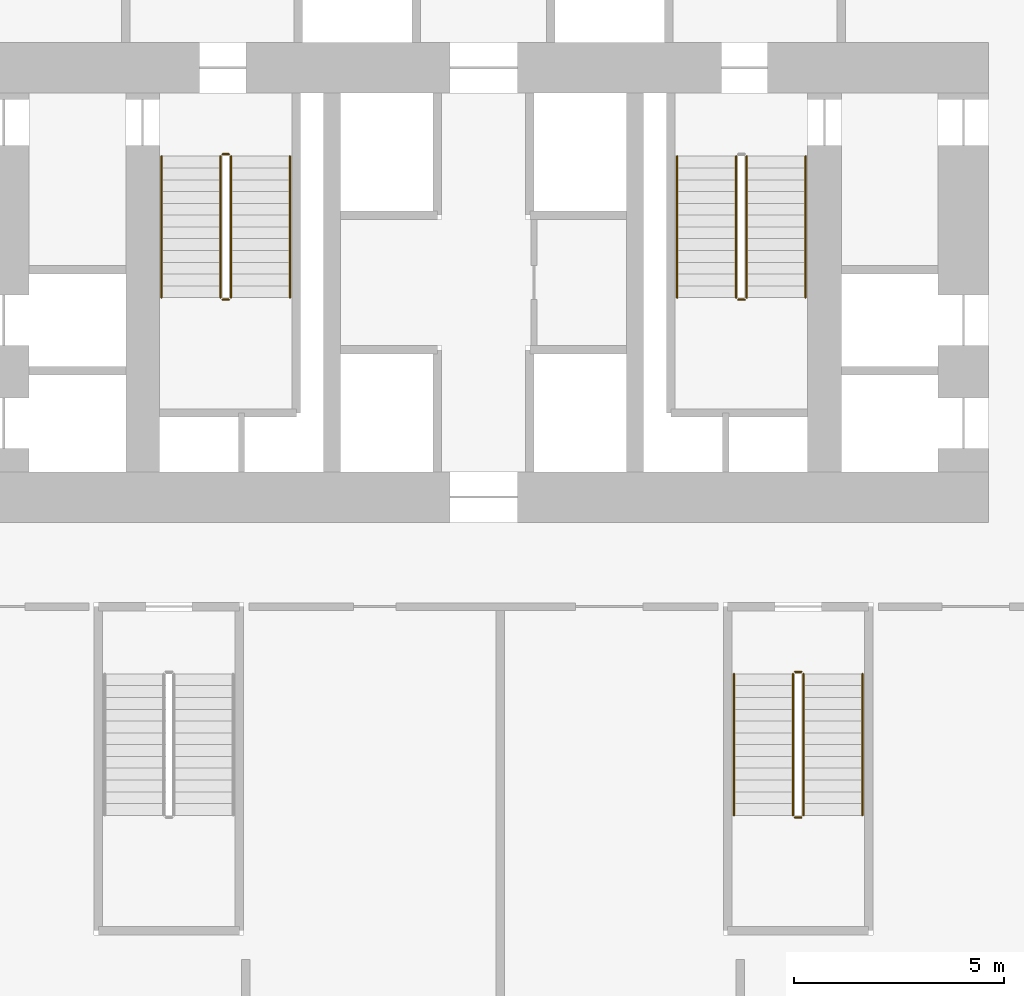
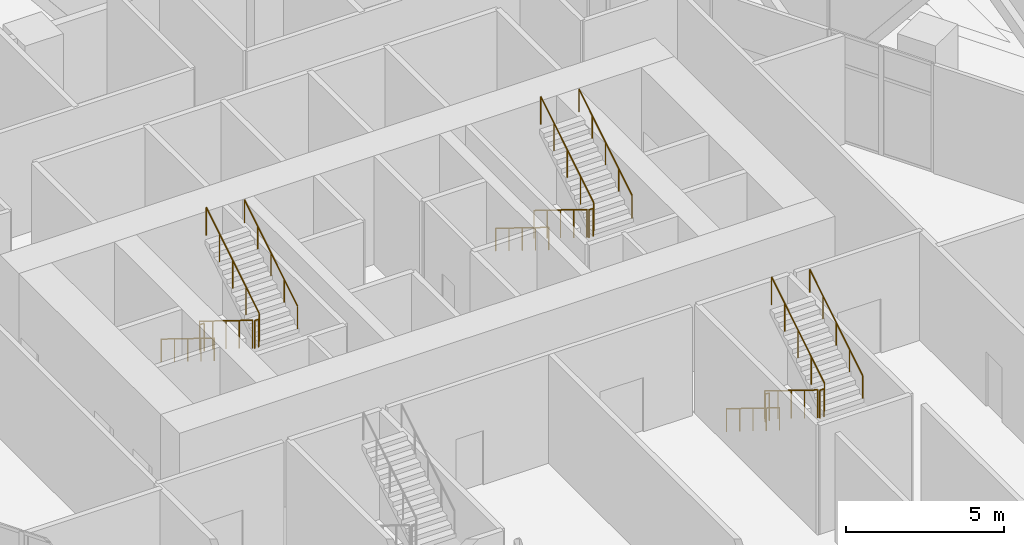
# One storey, part 66 of 71: 17 railings.
"""IFC4 building model written with IfcOpenShell, lengths in metres."""

from ifc_helpers import new_model, si_unit, direction, frame, origin, origin_2d, place, context, subcontext, project, spatial, circle, extrude, material, type_object, element, save


model = new_model("IFC4")

# Units and contexts
model_context = context("Model", 3, precision=1e-05, world=origin(), true_north=direction((0.0, 1.0)))
body_context = subcontext(model_context, "Body", "Model", "MODEL_VIEW")
ifc_project = project(units=[si_unit("LENGTHUNIT", "METRE"), si_unit("AREAUNIT", "SQUARE_METRE"), si_unit("VOLUMEUNIT", "CUBIC_METRE"), si_unit("PLANEANGLEUNIT", "RADIAN"), si_unit("MASSUNIT", "GRAM", prefix="KILO")], contexts=[model_context])

# Site, building, storey
site_placement = place(None, origin())
site = spatial("IfcSite", under=ifc_project, at=site_placement, CompositionType="ELEMENT")
building_placement = place(site_placement, origin())
building = spatial("IfcBuilding", under=site, at=building_placement, Name="Ostrander Bayou Hotel Tower", CompositionType="ELEMENT")
storey_placement = place(building_placement, frame((0.0, 0.0, 10.0)))
storey = spatial("IfcBuildingStorey", under=building, at=storey_placement, Name="L02", CompositionType="ELEMENT", Elevation=10.0)

# Railings
ifc_material_1 = material(Name="Steel ASTM A500 Gr C", Category="steel")
railing_type_1 = type_object("IfcRailingType", Name="GR1 stair guard 1100 mm steel", PredefinedType="GUARDRAIL", material=ifc_material_1)
railing_1_placement = place(storey_placement, frame((-6.25, 7.0, 0.173095703125)))
element("IfcRailing", 1, at=railing_1_placement, inside=storey, type_object=railing_type_1, Name="L02 STA stair guard 1", PredefinedType="GUARDRAIL", context=body_context, shape_type="SweptSolid", body=[
    extrude(circle(Radius=0.02392578125, at=origin_2d()), frame((0.0, 0.0, 1.076171875), z_axis=(0.0, -0.850623216509, 0.525775754039), x_axis=(1.0, 0.0, 0.0)), (0.0, 0.0, 1.0), 3.9501953125),
    extrude(circle(Radius=0.02099609375, at=origin_2d()), origin(), (0.0, 0.0, 1.0), 1.052001953125),
    extrude(circle(Radius=0.02099609375, at=origin_2d()), frame((0.0, -0.840087890625, 0.519287109375)), (0.0, 0.0, 1.0), 1.052001953125),
    extrude(circle(Radius=0.02099609375, at=origin_2d()), frame((0.0, -1.68017578125, 1.03857421875)), (0.0, 0.0, 1.0), 1.052001953125),
    extrude(circle(Radius=0.02099609375, at=origin_2d()), frame((0.0, -2.52001953125, 1.5576171875)), (0.0, 0.0, 1.0), 1.052001953125),
    extrude(circle(Radius=0.02099609375, at=origin_2d()), frame((0.0, -3.360107421875, 2.076904296875)), (0.0, 0.0, 1.0), 1.052001953125),
])
railing_2_placement = place(storey_placement, frame((-6.199951171875, 3.590087890625, 2.25)))
element("IfcRailing", 2, at=railing_2_placement, inside=storey, type_object=railing_type_1, Name="L02 STA stair guard 2", PredefinedType="GUARDRAIL", context=body_context, shape_type="SweptSolid", body=[
    extrude(circle(Radius=0.02392578125, at=origin_2d()), frame((0.0, 0.0, 1.076171875), z_axis=(1.0, 0.0, 0.0), x_axis=(0.0, 1.0, 0.0)), (0.0, 0.0, 1.0), 0.14990234375),
    extrude(circle(Radius=0.02099609375, at=origin_2d()), origin(), (0.0, 0.0, 1.0), 1.052001953125),
    extrude(circle(Radius=0.02099609375, at=origin_2d()), frame((0.14990234375, 0.0, 0.0)), (0.0, 0.0, 1.0), 1.052001953125),
])
railing_3_placement = place(storey_placement, frame((-6.0, 3.639892578125, 2.423095703125)))
element("IfcRailing", 3, at=railing_3_placement, inside=storey, type_object=railing_type_1, Name="L02 STA stair guard 3", PredefinedType="GUARDRAIL", context=body_context, shape_type="SweptSolid", body=[
    extrude(circle(Radius=0.02392578125, at=origin_2d()), frame((0.0, 0.0, 1.076171875), z_axis=(0.0, 0.850623216509, 0.525775754039), x_axis=(-1.0, 0.0, 0.0)), (0.0, 0.0, 1.0), 3.9501953125),
    extrude(circle(Radius=0.02099609375, at=origin_2d()), origin(), (0.0, 0.0, 1.0), 1.052001953125),
    extrude(circle(Radius=0.02099609375, at=origin_2d()), frame((0.0, 0.840087890625, 0.519287109375)), (0.0, 0.0, 1.0), 1.052001953125),
    extrude(circle(Radius=0.02099609375, at=origin_2d()), frame((0.0, 1.68017578125, 1.03857421875)), (0.0, 0.0, 1.0), 1.052001953125),
    extrude(circle(Radius=0.02099609375, at=origin_2d()), frame((0.0, 2.52001953125, 1.5576171875)), (0.0, 0.0, 1.0), 1.052001953125),
    extrude(circle(Radius=0.02099609375, at=origin_2d()), frame((0.0, 3.360107421875, 2.076904296875)), (0.0, 0.0, 1.0), 1.052001953125),
])
railing_4_placement = place(storey_placement, frame((-6.199951171875, 7.050048828125, 0.0)))
element("IfcRailing", 4, at=railing_4_placement, inside=storey, type_object=railing_type_1, Name="L02 STA stair guard 4", PredefinedType="GUARDRAIL", context=body_context, shape_type="SweptSolid", body=[
    extrude(circle(Radius=0.02392578125, at=origin_2d()), frame((0.0, 0.0, 1.076171875), z_axis=(1.0, 0.0, 0.0), x_axis=(0.0, 1.0, 0.0)), (0.0, 0.0, 1.0), 0.14990234375),
    extrude(circle(Radius=0.02099609375, at=origin_2d()), origin(), (0.0, 0.0, 1.0), 1.052001953125),
    extrude(circle(Radius=0.02099609375, at=origin_2d()), frame((0.14990234375, 0.0, 0.0)), (0.0, 0.0, 1.0), 1.052001953125),
])
railing_5_placement = place(storey_placement, frame((6.0, 7.0, 0.173095703125)))
element("IfcRailing", 5, at=railing_5_placement, inside=storey, type_object=railing_type_1, Name="L02 STB stair guard 1", PredefinedType="GUARDRAIL", context=body_context, shape_type="SweptSolid", body=[
    extrude(circle(Radius=0.02392578125, at=origin_2d()), frame((0.0, 0.0, 1.076171875), z_axis=(0.0, -0.850623216509, 0.525775754039), x_axis=(1.0, 0.0, 0.0)), (0.0, 0.0, 1.0), 3.9501953125),
    extrude(circle(Radius=0.02099609375, at=origin_2d()), origin(), (0.0, 0.0, 1.0), 1.052001953125),
    extrude(circle(Radius=0.02099609375, at=origin_2d()), frame((0.0, -0.840087890625, 0.519287109375)), (0.0, 0.0, 1.0), 1.052001953125),
    extrude(circle(Radius=0.02099609375, at=origin_2d()), frame((0.0, -1.68017578125, 1.03857421875)), (0.0, 0.0, 1.0), 1.052001953125),
    extrude(circle(Radius=0.02099609375, at=origin_2d()), frame((0.0, -2.52001953125, 1.5576171875)), (0.0, 0.0, 1.0), 1.052001953125),
    extrude(circle(Radius=0.02099609375, at=origin_2d()), frame((0.0, -3.360107421875, 2.076904296875)), (0.0, 0.0, 1.0), 1.052001953125),
])
railing_6_placement = place(storey_placement, frame((6.050048828125, 3.590087890625, 2.25)))
element("IfcRailing", 6, at=railing_6_placement, inside=storey, type_object=railing_type_1, Name="L02 STB stair guard 2", PredefinedType="GUARDRAIL", context=body_context, shape_type="SweptSolid", body=[
    extrude(circle(Radius=0.02392578125, at=origin_2d()), frame((0.0, 0.0, 1.076171875), z_axis=(1.0, 0.0, 0.0), x_axis=(0.0, 1.0, 0.0)), (0.0, 0.0, 1.0), 0.14990234375),
    extrude(circle(Radius=0.02099609375, at=origin_2d()), origin(), (0.0, 0.0, 1.0), 1.052001953125),
    extrude(circle(Radius=0.02099609375, at=origin_2d()), frame((0.14990234375, 0.0, 0.0)), (0.0, 0.0, 1.0), 1.052001953125),
])
railing_7_placement = place(storey_placement, frame((6.25, 3.639892578125, 2.423095703125)))
element("IfcRailing", 7, at=railing_7_placement, inside=storey, type_object=railing_type_1, Name="L02 STB stair guard 3", PredefinedType="GUARDRAIL", context=body_context, shape_type="SweptSolid", body=[
    extrude(circle(Radius=0.02392578125, at=origin_2d()), frame((0.0, 0.0, 1.076171875), z_axis=(0.0, 0.850623216509, 0.525775754039), x_axis=(-1.0, 0.0, 0.0)), (0.0, 0.0, 1.0), 3.9501953125),
    extrude(circle(Radius=0.02099609375, at=origin_2d()), origin(), (0.0, 0.0, 1.0), 1.052001953125),
    extrude(circle(Radius=0.02099609375, at=origin_2d()), frame((0.0, 0.840087890625, 0.519287109375)), (0.0, 0.0, 1.0), 1.052001953125),
    extrude(circle(Radius=0.02099609375, at=origin_2d()), frame((0.0, 1.68017578125, 1.03857421875)), (0.0, 0.0, 1.0), 1.052001953125),
    extrude(circle(Radius=0.02099609375, at=origin_2d()), frame((0.0, 2.52001953125, 1.5576171875)), (0.0, 0.0, 1.0), 1.052001953125),
    extrude(circle(Radius=0.02099609375, at=origin_2d()), frame((0.0, 3.360107421875, 2.076904296875)), (0.0, 0.0, 1.0), 1.052001953125),
])
railing_8_placement = place(storey_placement, frame((7.35009765625, -5.300048828125, 0.173095703125)))
element("IfcRailing", 8, at=railing_8_placement, inside=storey, type_object=railing_type_1, Name="L02 STC stair guard 1", PredefinedType="GUARDRAIL", context=body_context, shape_type="SweptSolid", body=[
    extrude(circle(Radius=0.02392578125, at=origin_2d()), frame((0.0, 0.0, 1.076171875), z_axis=(0.0, -0.850606129759, 0.525803396734), x_axis=(1.0, 0.0, 0.0)), (0.0, 0.0, 1.0), 3.949951171875),
    extrude(circle(Radius=0.02099609375, at=origin_2d()), origin(), (0.0, 0.0, 1.0), 1.052001953125),
    extrude(circle(Radius=0.02099609375, at=origin_2d()), frame((0.0, -0.83984375, 0.519287109375)), (0.0, 0.0, 1.0), 1.052001953125),
    extrude(circle(Radius=0.02099609375, at=origin_2d()), frame((0.0, -1.679931640625, 1.03857421875)), (0.0, 0.0, 1.0), 1.052001953125),
    extrude(circle(Radius=0.02099609375, at=origin_2d()), frame((0.0, -2.52001953125, 1.5576171875)), (0.0, 0.0, 1.0), 1.052001953125),
    extrude(circle(Radius=0.02099609375, at=origin_2d()), frame((0.0, -3.35986328125, 2.076904296875)), (0.0, 0.0, 1.0), 1.052001953125),
])
railing_9_placement = place(storey_placement, frame((7.39990234375, -8.7099609375, 2.25)))
element("IfcRailing", 9, at=railing_9_placement, inside=storey, type_object=railing_type_1, Name="L02 STC stair guard 2", PredefinedType="GUARDRAIL", context=body_context, shape_type="SweptSolid", body=[
    extrude(circle(Radius=0.02392578125, at=origin_2d()), frame((0.0, 0.0, 1.076171875), z_axis=(1.0, 0.0, 0.0), x_axis=(0.0, 1.0, 0.0)), (0.0, 0.0, 1.0), 0.150146484375),
    extrude(circle(Radius=0.02099609375, at=origin_2d()), origin(), (0.0, 0.0, 1.0), 1.052001953125),
    extrude(circle(Radius=0.02099609375, at=origin_2d()), frame((0.150146484375, 0.0, 0.0)), (0.0, 0.0, 1.0), 1.052001953125),
])
railing_10_placement = place(storey_placement, frame((7.60009765625, -8.659912109375, 2.423095703125)))
element("IfcRailing", 10, at=railing_10_placement, inside=storey, type_object=railing_type_1, Name="L02 STC stair guard 3", PredefinedType="GUARDRAIL", context=body_context, shape_type="SweptSolid", body=[
    extrude(circle(Radius=0.02392578125, at=origin_2d()), frame((0.0, 0.0, 1.076171875), z_axis=(0.0, 0.850606129759, 0.525803396734), x_axis=(-1.0, 0.0, 0.0)), (0.0, 0.0, 1.0), 3.949951171875),
    extrude(circle(Radius=0.02099609375, at=origin_2d()), origin(), (0.0, 0.0, 1.0), 1.052001953125),
    extrude(circle(Radius=0.02099609375, at=origin_2d()), frame((0.0, 0.83984375, 0.519287109375)), (0.0, 0.0, 1.0), 1.052001953125),
    extrude(circle(Radius=0.02099609375, at=origin_2d()), frame((0.0, 1.679931640625, 1.03857421875)), (0.0, 0.0, 1.0), 1.052001953125),
    extrude(circle(Radius=0.02099609375, at=origin_2d()), frame((0.0, 2.52001953125, 1.5576171875)), (0.0, 0.0, 1.0), 1.052001953125),
    extrude(circle(Radius=0.02099609375, at=origin_2d()), frame((0.0, 3.35986328125, 2.076904296875)), (0.0, 0.0, 1.0), 1.052001953125),
])
railing_11_placement = place(storey_placement, frame((7.39990234375, -5.25, 0.0)))
element("IfcRailing", 11, at=railing_11_placement, inside=storey, type_object=railing_type_1, Name="L02 STC stair guard 4", PredefinedType="GUARDRAIL", context=body_context, shape_type="SweptSolid", body=[
    extrude(circle(Radius=0.02392578125, at=origin_2d()), frame((0.0, 0.0, 1.076171875), z_axis=(1.0, 0.0, 0.0), x_axis=(0.0, 1.0, 0.0)), (0.0, 0.0, 1.0), 0.150146484375),
    extrude(circle(Radius=0.02099609375, at=origin_2d()), origin(), (0.0, 0.0, 1.0), 1.052001953125),
    extrude(circle(Radius=0.02099609375, at=origin_2d()), frame((0.150146484375, 0.0, 0.0)), (0.0, 0.0, 1.0), 1.052001953125),
])
ifc_material_2 = material(Name="Steel ASTM A500 Gr C", Category="steel")
railing_type_2 = type_object("IfcRailingType", Name="HR1 stair handrail 900 mm steel", PredefinedType="HANDRAIL", material=ifc_material_2)
railing_12_placement = place(storey_placement, frame((-7.64990234375, 7.0, 0.173095703125)))
element("IfcRailing", 12, at=railing_12_placement, inside=storey, type_object=railing_type_2, Name="L02 STA stair handrail 1", PredefinedType="HANDRAIL", context=body_context, shape_type="SweptSolid", body=[
    extrude(circle(Radius=0.02392578125, at=origin_2d()), frame((0.0, 0.0, 0.8759765625), z_axis=(0.0, -0.850623216509, 0.525775754039), x_axis=(1.0, 0.0, 0.0)), (0.0, 0.0, 1.0), 3.9501953125),
    extrude(circle(Radius=0.02099609375, at=origin_2d()), origin(), (0.0, 0.0, 1.0), 0.851806640625),
    extrude(circle(Radius=0.02099609375, at=origin_2d()), frame((0.0, -0.840087890625, 0.519287109375)), (0.0, 0.0, 1.0), 0.851806640625),
    extrude(circle(Radius=0.02099609375, at=origin_2d()), frame((0.0, -1.68017578125, 1.03857421875)), (0.0, 0.0, 1.0), 0.851806640625),
    extrude(circle(Radius=0.02099609375, at=origin_2d()), frame((0.0, -2.52001953125, 1.5576171875)), (0.0, 0.0, 1.0), 0.851806640625),
    extrude(circle(Radius=0.02099609375, at=origin_2d()), frame((0.0, -3.360107421875, 2.076904296875)), (0.0, 0.0, 1.0), 0.851806640625),
])
railing_13_placement = place(storey_placement, frame((-4.60009765625, 3.639892578125, 2.423095703125)))
element("IfcRailing", 13, at=railing_13_placement, inside=storey, type_object=railing_type_2, Name="L02 STA stair handrail 2", PredefinedType="HANDRAIL", context=body_context, shape_type="SweptSolid", body=[
    extrude(circle(Radius=0.02392578125, at=origin_2d()), frame((0.0, 0.0, 0.8759765625), z_axis=(0.0, 0.850623216509, 0.525775754039), x_axis=(-1.0, 0.0, 0.0)), (0.0, 0.0, 1.0), 3.9501953125),
    extrude(circle(Radius=0.02099609375, at=origin_2d()), origin(), (0.0, 0.0, 1.0), 0.851806640625),
    extrude(circle(Radius=0.02099609375, at=origin_2d()), frame((0.0, 0.840087890625, 0.519287109375)), (0.0, 0.0, 1.0), 0.851806640625),
    extrude(circle(Radius=0.02099609375, at=origin_2d()), frame((0.0, 1.68017578125, 1.03857421875)), (0.0, 0.0, 1.0), 0.851806640625),
    extrude(circle(Radius=0.02099609375, at=origin_2d()), frame((0.0, 2.52001953125, 1.5576171875)), (0.0, 0.0, 1.0), 0.851806640625),
    extrude(circle(Radius=0.02099609375, at=origin_2d()), frame((0.0, 3.360107421875, 2.076904296875)), (0.0, 0.0, 1.0), 0.851806640625),
])
railing_14_placement = place(storey_placement, frame((4.60009765625, 7.0, 0.173095703125)))
element("IfcRailing", 14, at=railing_14_placement, inside=storey, type_object=railing_type_2, Name="L02 STB stair handrail 1", PredefinedType="HANDRAIL", context=body_context, shape_type="SweptSolid", body=[
    extrude(circle(Radius=0.02392578125, at=origin_2d()), frame((0.0, 0.0, 0.8759765625), z_axis=(0.0, -0.850623216509, 0.525775754039), x_axis=(1.0, 0.0, 0.0)), (0.0, 0.0, 1.0), 3.9501953125),
    extrude(circle(Radius=0.02099609375, at=origin_2d()), origin(), (0.0, 0.0, 1.0), 0.851806640625),
    extrude(circle(Radius=0.02099609375, at=origin_2d()), frame((0.0, -0.840087890625, 0.519287109375)), (0.0, 0.0, 1.0), 0.851806640625),
    extrude(circle(Radius=0.02099609375, at=origin_2d()), frame((0.0, -1.68017578125, 1.03857421875)), (0.0, 0.0, 1.0), 0.851806640625),
    extrude(circle(Radius=0.02099609375, at=origin_2d()), frame((0.0, -2.52001953125, 1.5576171875)), (0.0, 0.0, 1.0), 0.851806640625),
    extrude(circle(Radius=0.02099609375, at=origin_2d()), frame((0.0, -3.360107421875, 2.076904296875)), (0.0, 0.0, 1.0), 0.851806640625),
])
railing_15_placement = place(storey_placement, frame((7.64990234375, 3.639892578125, 2.423095703125)))
element("IfcRailing", 15, at=railing_15_placement, inside=storey, type_object=railing_type_2, Name="L02 STB stair handrail 2", PredefinedType="HANDRAIL", context=body_context, shape_type="SweptSolid", body=[
    extrude(circle(Radius=0.02392578125, at=origin_2d()), frame((0.0, 0.0, 0.8759765625), z_axis=(0.0, 0.850623216509, 0.525775754039), x_axis=(-1.0, 0.0, 0.0)), (0.0, 0.0, 1.0), 3.9501953125),
    extrude(circle(Radius=0.02099609375, at=origin_2d()), origin(), (0.0, 0.0, 1.0), 0.851806640625),
    extrude(circle(Radius=0.02099609375, at=origin_2d()), frame((0.0, 0.840087890625, 0.519287109375)), (0.0, 0.0, 1.0), 0.851806640625),
    extrude(circle(Radius=0.02099609375, at=origin_2d()), frame((0.0, 1.68017578125, 1.03857421875)), (0.0, 0.0, 1.0), 0.851806640625),
    extrude(circle(Radius=0.02099609375, at=origin_2d()), frame((0.0, 2.52001953125, 1.5576171875)), (0.0, 0.0, 1.0), 0.851806640625),
    extrude(circle(Radius=0.02099609375, at=origin_2d()), frame((0.0, 3.360107421875, 2.076904296875)), (0.0, 0.0, 1.0), 0.851806640625),
])
railing_16_placement = place(storey_placement, frame((5.949951171875, -5.300048828125, 0.173095703125)))
element("IfcRailing", 16, at=railing_16_placement, inside=storey, type_object=railing_type_2, Name="L02 STC stair handrail 1", PredefinedType="HANDRAIL", context=body_context, shape_type="SweptSolid", body=[
    extrude(circle(Radius=0.02392578125, at=origin_2d()), frame((0.0, 0.0, 0.8759765625), z_axis=(0.0, -0.850606129759, 0.525803396734), x_axis=(1.0, 0.0, 0.0)), (0.0, 0.0, 1.0), 3.949951171875),
    extrude(circle(Radius=0.02099609375, at=origin_2d()), origin(), (0.0, 0.0, 1.0), 0.851806640625),
    extrude(circle(Radius=0.02099609375, at=origin_2d()), frame((0.0, -0.83984375, 0.519287109375)), (0.0, 0.0, 1.0), 0.851806640625),
    extrude(circle(Radius=0.02099609375, at=origin_2d()), frame((0.0, -1.679931640625, 1.03857421875)), (0.0, 0.0, 1.0), 0.851806640625),
    extrude(circle(Radius=0.02099609375, at=origin_2d()), frame((0.0, -2.52001953125, 1.5576171875)), (0.0, 0.0, 1.0), 0.851806640625),
    extrude(circle(Radius=0.02099609375, at=origin_2d()), frame((0.0, -3.35986328125, 2.076904296875)), (0.0, 0.0, 1.0), 0.851806640625),
])
railing_17_placement = place(storey_placement, frame((9.0, -8.659912109375, 2.423095703125)))
element("IfcRailing", 17, at=railing_17_placement, inside=storey, type_object=railing_type_2, Name="L02 STC stair handrail 2", PredefinedType="HANDRAIL", context=body_context, shape_type="SweptSolid", body=[
    extrude(circle(Radius=0.02392578125, at=origin_2d()), frame((0.0, 0.0, 0.8759765625), z_axis=(0.0, 0.850606129759, 0.525803396734), x_axis=(-1.0, 0.0, 0.0)), (0.0, 0.0, 1.0), 3.949951171875),
    extrude(circle(Radius=0.02099609375, at=origin_2d()), origin(), (0.0, 0.0, 1.0), 0.851806640625),
    extrude(circle(Radius=0.02099609375, at=origin_2d()), frame((0.0, 0.83984375, 0.519287109375)), (0.0, 0.0, 1.0), 0.851806640625),
    extrude(circle(Radius=0.02099609375, at=origin_2d()), frame((0.0, 1.679931640625, 1.03857421875)), (0.0, 0.0, 1.0), 0.851806640625),
    extrude(circle(Radius=0.02099609375, at=origin_2d()), frame((0.0, 2.52001953125, 1.5576171875)), (0.0, 0.0, 1.0), 0.851806640625),
    extrude(circle(Radius=0.02099609375, at=origin_2d()), frame((0.0, 3.35986328125, 2.076904296875)), (0.0, 0.0, 1.0), 0.851806640625),
])

save(model, "model.ifc")
